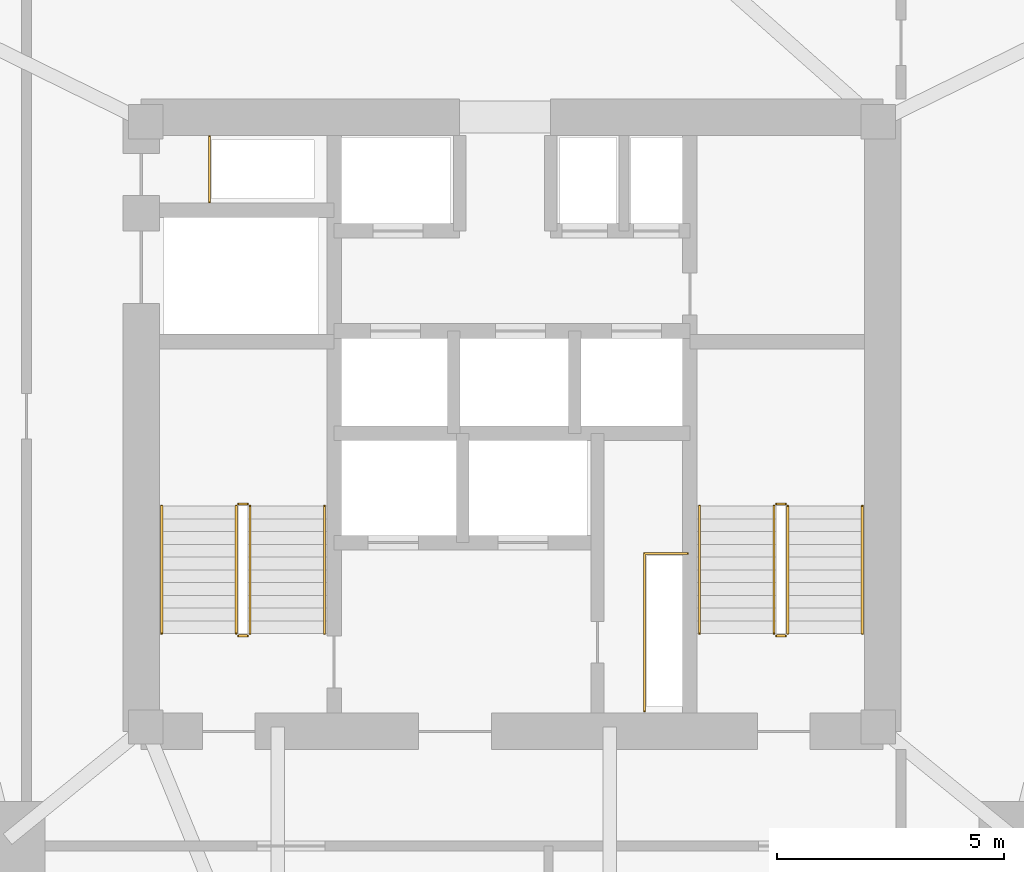
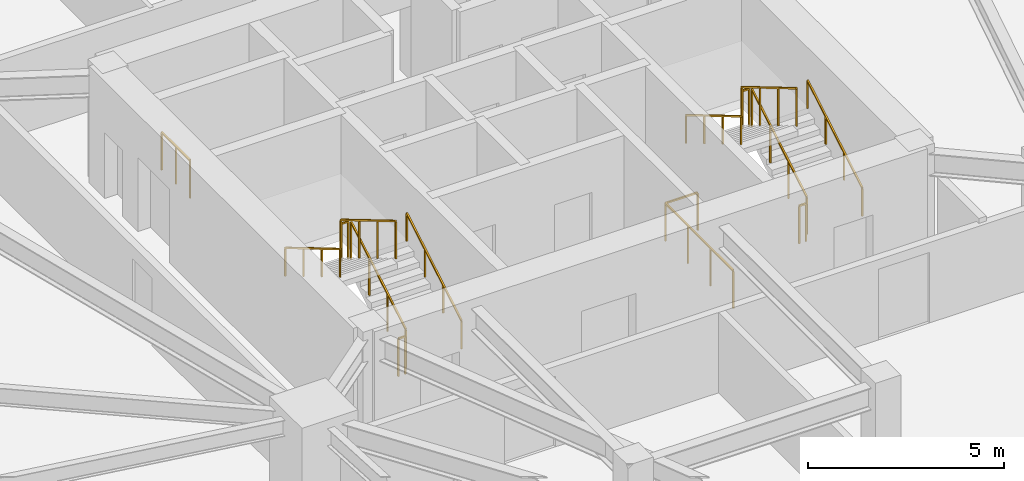
# One storey, part 20 of 20: 14 railings.
"""IFC4 building model written with IfcOpenShell, lengths in metres."""

from ifc_helpers import new_model, si_unit, direction, frame, origin, origin_2d, place, context, subcontext, project, spatial, rectangle, extrude, material, type_object, element, save


model = new_model("IFC4")

# Units and contexts
model_context = context("Model", 3, precision=1e-05, world=origin(), true_north=direction((0.0, 1.0)))
body_context = subcontext(model_context, "Body", "Model", "MODEL_VIEW")
ifc_project = project(units=[si_unit("LENGTHUNIT", "METRE"), si_unit("AREAUNIT", "SQUARE_METRE"), si_unit("VOLUMEUNIT", "CUBIC_METRE"), si_unit("PLANEANGLEUNIT", "RADIAN"), si_unit("MASSUNIT", "GRAM", prefix="KILO")], contexts=[model_context])

# Site, building, storey
site_placement = place(None, origin())
site = spatial("IfcSite", under=ifc_project, at=site_placement, CompositionType="ELEMENT")
building_placement = place(site_placement, origin())
building = spatial("IfcBuilding", under=site, at=building_placement, Name="Talyreon Biosciences Tower", CompositionType="ELEMENT")
storey_placement = place(building_placement, frame((0.0, 0.0, 75.0)))
storey = spatial("IfcBuildingStorey", under=building, at=storey_placement, Name="L19", CompositionType="ELEMENT", Elevation=75.0)

# Railings
ifc_material_1 = material(Name="Brushed stainless-steel tubular handrail", Category="steel")
railing_type_1 = type_object("IfcRailingType", Name="StairWallHandrail_900", PredefinedType="HANDRAIL", material=ifc_material_1)
railing_1_placement = place(storey_placement, frame((61.8798828125, 63.39990234375, 0.166015625)))
element("IfcRailing", 1, at=railing_1_placement, inside=storey, type_object=railing_type_1, Name="L19 ST-1 stair handrail 1", PredefinedType="HANDRAIL", context=body_context, shape_type="SweptSolid", body=[
    extrude(rectangle(XDim=0.048095703125, YDim=0.048095703125, at=origin_2d()), frame((0.0, 0.0, 0.8759765625), z_axis=(0.0, 0.860339051648, 0.50972219513), x_axis=(-1.0, 0.0, 0.0)), (0.0, 0.0, 1.0), 3.254638671875),
    extrude(rectangle(XDim=0.0419921875, YDim=0.0419921875, at=origin_2d()), origin(), (0.0, 0.0, 1.0), 0.851806640625),
    extrude(rectangle(XDim=0.0419921875, YDim=0.0419921875, at=origin_2d()), frame((0.0, 0.933349609375, 0.552978515625)), (0.0, 0.0, 1.0), 0.851806640625),
    extrude(rectangle(XDim=0.0419921875, YDim=0.0419921875, at=origin_2d()), frame((0.0, 1.86669921875, 1.10595703125)), (0.0, 0.0, 1.0), 0.851806640625),
    extrude(rectangle(XDim=0.0419921875, YDim=0.0419921875, at=origin_2d()), frame((0.0, 2.800048828125, 1.658935546875)), (0.0, 0.0, 1.0), 0.851806640625),
])
railing_2_placement = place(storey_placement, frame((58.300048828125, 66.199951171875, 1.990966796875)))
element("IfcRailing", 2, at=railing_2_placement, inside=storey, type_object=railing_type_1, Name="L19 ST-1 stair handrail 2", PredefinedType="HANDRAIL", context=body_context, shape_type="SweptSolid", body=[
    extrude(rectangle(XDim=0.048095703125, YDim=0.048095703125, at=origin_2d()), frame((0.0, 0.0, 0.8759765625), z_axis=(0.0, -0.860339051648, 0.50972219513), x_axis=(1.0, 0.0, 0.0)), (0.0, 0.0, 1.0), 3.254638671875),
    extrude(rectangle(XDim=0.0419921875, YDim=0.0419921875, at=origin_2d()), origin(), (0.0, 0.0, 1.0), 0.851806640625),
    extrude(rectangle(XDim=0.0419921875, YDim=0.0419921875, at=origin_2d()), frame((0.0, -0.933349609375, 0.552978515625)), (0.0, 0.0, 1.0), 0.851806640625),
    extrude(rectangle(XDim=0.0419921875, YDim=0.0419921875, at=origin_2d()), frame((0.0, -1.86669921875, 1.10595703125)), (0.0, 0.0, 1.0), 0.851806640625),
    extrude(rectangle(XDim=0.0419921875, YDim=0.0419921875, at=origin_2d()), frame((0.0, -2.800048828125, 1.658935546875)), (0.0, 0.0, 1.0), 0.851806640625),
])
railing_3_placement = place(storey_placement, frame((73.699951171875, 63.39990234375, 0.166015625)))
element("IfcRailing", 3, at=railing_3_placement, inside=storey, type_object=railing_type_1, Name="L19 ST-2 stair handrail 1", PredefinedType="HANDRAIL", context=body_context, shape_type="SweptSolid", body=[
    extrude(rectangle(XDim=0.048095703125, YDim=0.048095703125, at=origin_2d()), frame((0.0, 0.0, 0.8759765625), z_axis=(0.0, 0.860339051648, 0.50972219513), x_axis=(-1.0, 0.0, 0.0)), (0.0, 0.0, 1.0), 3.254638671875),
    extrude(rectangle(XDim=0.0419921875, YDim=0.0419921875, at=origin_2d()), origin(), (0.0, 0.0, 1.0), 0.851806640625),
    extrude(rectangle(XDim=0.0419921875, YDim=0.0419921875, at=origin_2d()), frame((0.0, 0.933349609375, 0.552978515625)), (0.0, 0.0, 1.0), 0.851806640625),
    extrude(rectangle(XDim=0.0419921875, YDim=0.0419921875, at=origin_2d()), frame((0.0, 1.86669921875, 1.10595703125)), (0.0, 0.0, 1.0), 0.851806640625),
    extrude(rectangle(XDim=0.0419921875, YDim=0.0419921875, at=origin_2d()), frame((0.0, 2.800048828125, 1.658935546875)), (0.0, 0.0, 1.0), 0.851806640625),
])
railing_4_placement = place(storey_placement, frame((70.1201171875, 66.199951171875, 1.990966796875)))
element("IfcRailing", 4, at=railing_4_placement, inside=storey, type_object=railing_type_1, Name="L19 ST-2 stair handrail 2", PredefinedType="HANDRAIL", context=body_context, shape_type="SweptSolid", body=[
    extrude(rectangle(XDim=0.048095703125, YDim=0.048095703125, at=origin_2d()), frame((0.0, 0.0, 0.8759765625), z_axis=(0.0, -0.860339051648, 0.50972219513), x_axis=(1.0, 0.0, 0.0)), (0.0, 0.0, 1.0), 3.254638671875),
    extrude(rectangle(XDim=0.0419921875, YDim=0.0419921875, at=origin_2d()), origin(), (0.0, 0.0, 1.0), 0.851806640625),
    extrude(rectangle(XDim=0.0419921875, YDim=0.0419921875, at=origin_2d()), frame((0.0, -0.933349609375, 0.552978515625)), (0.0, 0.0, 1.0), 0.851806640625),
    extrude(rectangle(XDim=0.0419921875, YDim=0.0419921875, at=origin_2d()), frame((0.0, -1.86669921875, 1.10595703125)), (0.0, 0.0, 1.0), 0.851806640625),
    extrude(rectangle(XDim=0.0419921875, YDim=0.0419921875, at=origin_2d()), frame((0.0, -2.800048828125, 1.658935546875)), (0.0, 0.0, 1.0), 0.851806640625),
])
ifc_material_2 = material(Name="Painted galvanised steel post-and-rail balustrade", Category="steel")
railing_type_2 = type_object("IfcRailingType", Name="TerraceStairGuard_1200", PredefinedType="GUARDRAIL", material=ifc_material_2)
railing_5_placement = place(storey_placement, frame((60.239990234375, 63.39990234375, 0.166015625)))
element("IfcRailing", 5, at=railing_5_placement, inside=storey, type_object=railing_type_2, Name="L19 ST-1 stair guard 1", PredefinedType="GUARDRAIL", context=body_context, shape_type="SweptSolid", body=[
    extrude(rectangle(XDim=0.048095703125, YDim=0.048095703125, at=origin_2d()), frame((0.0, 0.0, 1.17578125), z_axis=(0.0, 0.860339051648, 0.50972219513), x_axis=(-1.0, 0.0, 0.0)), (0.0, 0.0, 1.0), 3.254638671875),
    extrude(rectangle(XDim=0.0419921875, YDim=0.0419921875, at=origin_2d()), origin(), (0.0, 0.0, 1.0), 1.15185546875),
    extrude(rectangle(XDim=0.0419921875, YDim=0.0419921875, at=origin_2d()), frame((0.0, 0.933349609375, 0.552978515625)), (0.0, 0.0, 1.0), 1.15185546875),
    extrude(rectangle(XDim=0.0419921875, YDim=0.0419921875, at=origin_2d()), frame((0.0, 1.86669921875, 1.10595703125)), (0.0, 0.0, 1.0), 1.15185546875),
    extrude(rectangle(XDim=0.0419921875, YDim=0.0419921875, at=origin_2d()), frame((0.0, 2.800048828125, 1.658935546875)), (0.0, 0.0, 1.0), 1.15185546875),
])
railing_6_placement = place(storey_placement, frame((60.18994140625, 66.25, 1.824951171875)))
element("IfcRailing", 6, at=railing_6_placement, inside=storey, type_object=railing_type_2, Name="L19 ST-1 stair guard 2", PredefinedType="GUARDRAIL", context=body_context, shape_type="SweptSolid", body=[
    extrude(rectangle(XDim=0.048095703125, YDim=0.048095703125, at=origin_2d()), frame((0.0, 0.0, 1.17578125), z_axis=(-1.0, 0.0, 0.0), x_axis=(0.0, -1.0, 0.0)), (0.0, 0.0, 1.0), 0.199951171875),
    extrude(rectangle(XDim=0.0419921875, YDim=0.0419921875, at=origin_2d()), origin(), (0.0, 0.0, 1.0), 1.15185546875),
    extrude(rectangle(XDim=0.0419921875, YDim=0.0419921875, at=origin_2d()), frame((-0.199951171875, 0.0, 0.0)), (0.0, 0.0, 1.0), 1.15185546875),
])
railing_7_placement = place(storey_placement, frame((59.93994140625, 66.199951171875, 1.990966796875)))
element("IfcRailing", 7, at=railing_7_placement, inside=storey, type_object=railing_type_2, Name="L19 ST-1 stair guard 3", PredefinedType="GUARDRAIL", context=body_context, shape_type="SweptSolid", body=[
    extrude(rectangle(XDim=0.048095703125, YDim=0.048095703125, at=origin_2d()), frame((0.0, 0.0, 1.17578125), z_axis=(0.0, -0.860339051648, 0.50972219513), x_axis=(1.0, 0.0, 0.0)), (0.0, 0.0, 1.0), 3.254638671875),
    extrude(rectangle(XDim=0.0419921875, YDim=0.0419921875, at=origin_2d()), origin(), (0.0, 0.0, 1.0), 1.15185546875),
    extrude(rectangle(XDim=0.0419921875, YDim=0.0419921875, at=origin_2d()), frame((0.0, -0.933349609375, 0.552978515625)), (0.0, 0.0, 1.0), 1.15185546875),
    extrude(rectangle(XDim=0.0419921875, YDim=0.0419921875, at=origin_2d()), frame((0.0, -1.86669921875, 1.10595703125)), (0.0, 0.0, 1.0), 1.15185546875),
    extrude(rectangle(XDim=0.0419921875, YDim=0.0419921875, at=origin_2d()), frame((0.0, -2.800048828125, 1.658935546875)), (0.0, 0.0, 1.0), 1.15185546875),
])
railing_8_placement = place(storey_placement, frame((60.18994140625, 63.35009765625, 0.0)))
element("IfcRailing", 8, at=railing_8_placement, inside=storey, type_object=railing_type_2, Name="L19 ST-1 stair guard 4", PredefinedType="GUARDRAIL", context=body_context, shape_type="SweptSolid", body=[
    extrude(rectangle(XDim=0.048095703125, YDim=0.048095703125, at=origin_2d()), frame((0.0, 0.0, 1.17578125), z_axis=(-1.0, 0.0, 0.0), x_axis=(0.0, -1.0, 0.0)), (0.0, 0.0, 1.0), 0.199951171875),
    extrude(rectangle(XDim=0.0419921875, YDim=0.0419921875, at=origin_2d()), origin(), (0.0, 0.0, 1.0), 1.15185546875),
    extrude(rectangle(XDim=0.0419921875, YDim=0.0419921875, at=origin_2d()), frame((-0.199951171875, 0.0, 0.0)), (0.0, 0.0, 1.0), 1.15185546875),
])
railing_9_placement = place(storey_placement, frame((72.06005859375, 63.39990234375, 0.166015625)))
element("IfcRailing", 9, at=railing_9_placement, inside=storey, type_object=railing_type_2, Name="L19 ST-2 stair guard 1", PredefinedType="GUARDRAIL", context=body_context, shape_type="SweptSolid", body=[
    extrude(rectangle(XDim=0.048095703125, YDim=0.048095703125, at=origin_2d()), frame((0.0, 0.0, 1.17578125), z_axis=(0.0, 0.860339051648, 0.50972219513), x_axis=(-1.0, 0.0, 0.0)), (0.0, 0.0, 1.0), 3.254638671875),
    extrude(rectangle(XDim=0.0419921875, YDim=0.0419921875, at=origin_2d()), origin(), (0.0, 0.0, 1.0), 1.15185546875),
    extrude(rectangle(XDim=0.0419921875, YDim=0.0419921875, at=origin_2d()), frame((0.0, 0.933349609375, 0.552978515625)), (0.0, 0.0, 1.0), 1.15185546875),
    extrude(rectangle(XDim=0.0419921875, YDim=0.0419921875, at=origin_2d()), frame((0.0, 1.86669921875, 1.10595703125)), (0.0, 0.0, 1.0), 1.15185546875),
    extrude(rectangle(XDim=0.0419921875, YDim=0.0419921875, at=origin_2d()), frame((0.0, 2.800048828125, 1.658935546875)), (0.0, 0.0, 1.0), 1.15185546875),
])
railing_10_placement = place(storey_placement, frame((72.010009765625, 66.25, 1.824951171875)))
element("IfcRailing", 10, at=railing_10_placement, inside=storey, type_object=railing_type_2, Name="L19 ST-2 stair guard 2", PredefinedType="GUARDRAIL", context=body_context, shape_type="SweptSolid", body=[
    extrude(rectangle(XDim=0.048095703125, YDim=0.048095703125, at=origin_2d()), frame((0.0, 0.0, 1.17578125), z_axis=(-1.0, 0.0, 0.0), x_axis=(0.0, -1.0, 0.0)), (0.0, 0.0, 1.0), 0.199951171875),
    extrude(rectangle(XDim=0.0419921875, YDim=0.0419921875, at=origin_2d()), origin(), (0.0, 0.0, 1.0), 1.15185546875),
    extrude(rectangle(XDim=0.0419921875, YDim=0.0419921875, at=origin_2d()), frame((-0.199951171875, 0.0, 0.0)), (0.0, 0.0, 1.0), 1.15185546875),
])
railing_11_placement = place(storey_placement, frame((71.760009765625, 66.199951171875, 1.990966796875)))
element("IfcRailing", 11, at=railing_11_placement, inside=storey, type_object=railing_type_2, Name="L19 ST-2 stair guard 3", PredefinedType="GUARDRAIL", context=body_context, shape_type="SweptSolid", body=[
    extrude(rectangle(XDim=0.048095703125, YDim=0.048095703125, at=origin_2d()), frame((0.0, 0.0, 1.17578125), z_axis=(0.0, -0.860339051648, 0.50972219513), x_axis=(1.0, 0.0, 0.0)), (0.0, 0.0, 1.0), 3.254638671875),
    extrude(rectangle(XDim=0.0419921875, YDim=0.0419921875, at=origin_2d()), origin(), (0.0, 0.0, 1.0), 1.15185546875),
    extrude(rectangle(XDim=0.0419921875, YDim=0.0419921875, at=origin_2d()), frame((0.0, -0.933349609375, 0.552978515625)), (0.0, 0.0, 1.0), 1.15185546875),
    extrude(rectangle(XDim=0.0419921875, YDim=0.0419921875, at=origin_2d()), frame((0.0, -1.86669921875, 1.10595703125)), (0.0, 0.0, 1.0), 1.15185546875),
    extrude(rectangle(XDim=0.0419921875, YDim=0.0419921875, at=origin_2d()), frame((0.0, -2.800048828125, 1.658935546875)), (0.0, 0.0, 1.0), 1.15185546875),
])
railing_12_placement = place(storey_placement, frame((72.010009765625, 63.35009765625, 0.0)))
element("IfcRailing", 12, at=railing_12_placement, inside=storey, type_object=railing_type_2, Name="L19 ST-2 stair guard 4", PredefinedType="GUARDRAIL", context=body_context, shape_type="SweptSolid", body=[
    extrude(rectangle(XDim=0.048095703125, YDim=0.048095703125, at=origin_2d()), frame((0.0, 0.0, 1.17578125), z_axis=(-1.0, 0.0, 0.0), x_axis=(0.0, -1.0, 0.0)), (0.0, 0.0, 1.0), 0.199951171875),
    extrude(rectangle(XDim=0.0419921875, YDim=0.0419921875, at=origin_2d()), origin(), (0.0, 0.0, 1.0), 1.15185546875),
    extrude(rectangle(XDim=0.0419921875, YDim=0.0419921875, at=origin_2d()), frame((-0.199951171875, 0.0, 0.0)), (0.0, 0.0, 1.0), 1.15185546875),
])
railing_13_placement = place(storey_placement, frame((59.35009765625, 72.8798828125, 0.0)))
element("IfcRailing", 13, at=railing_13_placement, inside=storey, type_object=railing_type_2, Name="L19 Exhaust Riser Maintenance Guardrail", PredefinedType="GUARDRAIL", context=body_context, shape_type="SweptSolid", body=[
    extrude(rectangle(XDim=0.048095703125, YDim=0.048095703125, at=origin_2d()), frame((0.0, 0.0, 1.17578125), z_axis=(0.0, 1.0, 0.0), x_axis=(-1.0, 0.0, 0.0)), (0.0, 0.0, 1.0), 1.4501953125),
    extrude(rectangle(XDim=0.0419921875, YDim=0.0419921875, at=origin_2d()), origin(), (0.0, 0.0, 1.0), 1.15185546875),
    extrude(rectangle(XDim=0.0419921875, YDim=0.0419921875, at=origin_2d()), frame((0.0, 0.72509765625, 0.0)), (0.0, 0.0, 1.0), 1.15185546875),
    extrude(rectangle(XDim=0.0419921875, YDim=0.0419921875, at=origin_2d()), frame((0.0, 1.4501953125, 0.0)), (0.0, 0.0, 1.0), 1.15185546875),
])
railing_14_placement = place(storey_placement, frame((68.909912109375, 61.699951171875, 0.0)))
element("IfcRailing", 14, at=railing_14_placement, inside=storey, type_object=railing_type_2, Name="L19 Electrical Riser Maintenance Guardrail", PredefinedType="GUARDRAIL", context=body_context, shape_type="SweptSolid", body=[
    extrude(rectangle(XDim=0.048095703125, YDim=0.048095703125, at=origin_2d()), frame((0.0, 0.0, 1.17578125), z_axis=(0.0, 1.0, 0.0), x_axis=(-1.0, 0.0, 0.0)), (0.0, 0.0, 1.0), 3.4599609375),
    extrude(rectangle(XDim=0.048095703125, YDim=0.048095703125, at=origin_2d()), frame((0.0, 3.4599609375, 1.17578125), z_axis=(1.0, 0.0, 0.0), x_axis=(0.0, 1.0, 0.0)), (0.0, 0.0, 1.0), 0.9501953125),
    extrude(rectangle(XDim=0.0419921875, YDim=0.0419921875, at=origin_2d()), origin(), (0.0, 0.0, 1.0), 1.15185546875),
    extrude(rectangle(XDim=0.0419921875, YDim=0.0419921875, at=origin_2d()), frame((0.0, 1.1533203125, 0.0)), (0.0, 0.0, 1.0), 1.15185546875),
    extrude(rectangle(XDim=0.0419921875, YDim=0.0419921875, at=origin_2d()), frame((0.0, 2.306640625, 0.0)), (0.0, 0.0, 1.0), 1.15185546875),
    extrude(rectangle(XDim=0.0419921875, YDim=0.0419921875, at=origin_2d()), frame((0.0, 3.4599609375, 0.0)), (0.0, 0.0, 1.0), 1.15185546875),
    extrude(rectangle(XDim=0.0419921875, YDim=0.0419921875, at=origin_2d()), frame((0.9501953125, 3.4599609375, 0.0)), (0.0, 0.0, 1.0), 1.15185546875),
])

save(model, "model.ifc")
